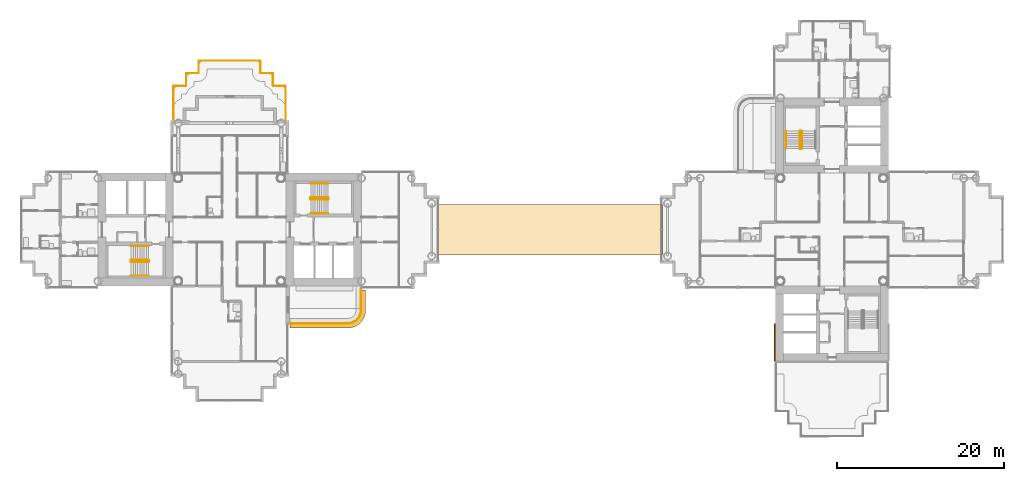
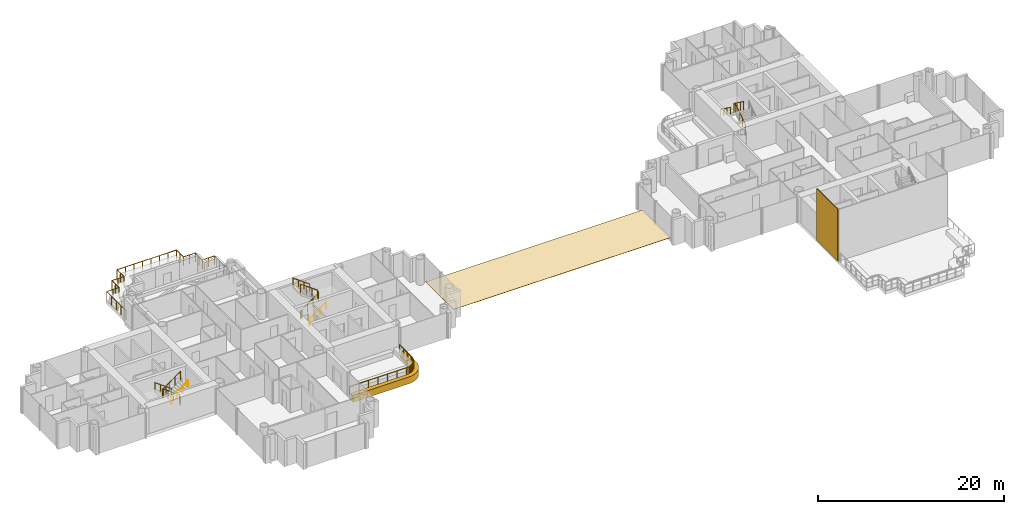
# One storey, part 20 of 22: 10 railings, 3 coverings.
"""IFC4 building model written with IfcOpenShell, lengths in metres."""

from ifc_helpers import new_model, si_unit, direction, frame, origin, origin_2d, place, context, subcontext, project, spatial, polyline, rectangle, circle, outline, extrude, material, layer, layer_set, type_object, element, save


model = new_model("IFC4")

# Units and contexts
model_context = context("Model", 3, precision=1e-05, world=origin(), true_north=direction((0.0, 1.0)))
body_context = subcontext(model_context, "Body", "Model", "MODEL_VIEW")
ifc_project = project(units=[si_unit("LENGTHUNIT", "METRE"), si_unit("AREAUNIT", "SQUARE_METRE"), si_unit("VOLUMEUNIT", "CUBIC_METRE"), si_unit("PLANEANGLEUNIT", "RADIAN"), si_unit("MASSUNIT", "GRAM", prefix="KILO")], contexts=[model_context])

# Site, building, storey
site_placement = place(None, origin())
site = spatial("IfcSite", under=ifc_project, at=site_placement, CompositionType="ELEMENT")
building_placement = place(site_placement, origin())
building = spatial("IfcBuilding", under=site, at=building_placement, Name="Ipe Terrace Towers", CompositionType="ELEMENT")
storey_placement = place(building_placement, frame((0.0, 0.0, 76.60009765625)))
storey = spatial("IfcBuildingStorey", under=building, at=storey_placement, Name="L20", CompositionType="ELEMENT", Elevation=76.60009765625)

# Railings
ifc_material_1 = material(Name="Stainless steel S316", Category="steel")
railing_type_1 = type_object("IfcRailingType", Name="GUARD 1100", PredefinedType="BALUSTRADE", material=ifc_material_1)
railing_1_placement = place(storey_placement, frame((-28.929931640625, -11.199951171875, -0.02001953125)))
element("IfcRailing", 1, at=railing_1_placement, inside=storey, type_object=railing_type_1, Name="guard", PredefinedType="BALUSTRADE", context=body_context, shape_type="SweptSolid", body=[
    extrude(circle(Radius=0.02392578125, at=origin_2d()), frame((0.0, 0.0, 1.076171875), z_axis=(1.0, 0.0, 0.0), x_axis=(0.0, 1.0, 0.0)), (0.0, 0.0, 1.0), 7.077880859375),
    extrude(circle(Radius=0.02392578125, at=origin_2d()), frame((7.077880859375, 0.0, 1.076171875), z_axis=(0.997996439513, 0.063270109204, 0.0), x_axis=(-0.063270109204, 0.997996439513, 0.0)), (0.0, 0.0, 1.0), 0.20458984375),
    extrude(circle(Radius=0.02392578125, at=origin_2d()), frame((7.281982421875, 0.012939453125, 1.076171875), z_axis=(0.980348670139, 0.197272615832, 0.0), x_axis=(-0.197272615832, 0.980348670139, 0.0)), (0.0, 0.0, 1.0), 0.202880859375),
    extrude(circle(Radius=0.02392578125, at=origin_2d()), frame((7.48095703125, 0.052978515625, 1.076171875), z_axis=(0.947227229435, 0.320562904618, 0.0), x_axis=(-0.320562904618, 0.947227229435, 0.0)), (0.0, 0.0, 1.0), 0.20263671875),
    extrude(circle(Radius=0.02392578125, at=origin_2d()), frame((7.6728515625, 0.117919921875, 1.076171875), z_axis=(0.896341374877, 0.443364567466, 0.0), x_axis=(-0.443364567466, 0.896341374877, 0.0)), (0.0, 0.0, 1.0), 0.203125),
    extrude(circle(Radius=0.02392578125, at=origin_2d()), frame((7.85498046875, 0.2080078125, 1.076171875), z_axis=(0.833344910936, 0.552753344103, 0.0), x_axis=(-0.552753344103, 0.833344910936, 0.0)), (0.0, 0.0, 1.0), 0.20263671875),
    extrude(circle(Radius=0.02392578125, at=origin_2d()), frame((8.02392578125, 0.320068359375, 1.076171875), z_axis=(0.750856952854, 0.660464863827, 0.0), x_axis=(-0.660464863827, 0.750856952854, 0.0)), (0.0, 0.0, 1.0), 0.20263671875),
    extrude(circle(Radius=0.02392578125, at=origin_2d()), frame((8.176025390625, 0.453857421875, 1.076171875), z_axis=(0.660464863827, 0.750856952854, 0.0), x_axis=(-0.750856952854, 0.660464863827, 0.0)), (0.0, 0.0, 1.0), 0.20263671875),
    extrude(circle(Radius=0.02392578125, at=origin_2d()), frame((8.309814453125, 0.60595703125, 1.076171875), z_axis=(0.552753344103, 0.833344910936, 0.0), x_axis=(-0.833344910936, 0.552753344103, 0.0)), (0.0, 0.0, 1.0), 0.20263671875),
    extrude(circle(Radius=0.02392578125, at=origin_2d()), frame((8.421875, 0.77490234375, 1.076171875), z_axis=(0.443364567466, 0.896341374877, 0.0), x_axis=(-0.896341374877, 0.443364567466, 0.0)), (0.0, 0.0, 1.0), 0.203125),
    extrude(circle(Radius=0.02392578125, at=origin_2d()), frame((8.511962890625, 0.95703125, 1.076171875), z_axis=(0.320562904618, 0.947227229435, 0.0), x_axis=(-0.947227229435, 0.320562904618, 0.0)), (0.0, 0.0, 1.0), 0.20263671875),
    extrude(circle(Radius=0.02392578125, at=origin_2d()), frame((8.576904296875, 1.14892578125, 1.076171875), z_axis=(0.197272615832, 0.980348670139, 0.0), x_axis=(-0.980348670139, 0.197272615832, 0.0)), (0.0, 0.0, 1.0), 0.202880859375),
    extrude(circle(Radius=0.02392578125, at=origin_2d()), frame((8.616943359375, 1.347900390625, 1.076171875), z_axis=(0.063270109204, 0.997996439513, 0.0), x_axis=(-0.997996439513, 0.063270109204, 0.0)), (0.0, 0.0, 1.0), 0.20458984375),
    extrude(circle(Radius=0.02392578125, at=origin_2d()), frame((8.6298828125, 1.552001953125, 1.076171875), z_axis=(0.0, 1.0, 0.0), x_axis=(-1.0, 0.0, 0.0)), (0.0, 0.0, 1.0), 2.577880859375),
    extrude(circle(Radius=0.02099609375, at=origin_2d()), origin(), (0.0, 0.0, 1.0), 1.052001953125),
    extrude(circle(Radius=0.02099609375, at=origin_2d()), frame((1.1796875, 0.0, 0.0)), (0.0, 0.0, 1.0), 1.052001953125),
    extrude(circle(Radius=0.02099609375, at=origin_2d()), frame((2.359375, 0.0, 0.0)), (0.0, 0.0, 1.0), 1.052001953125),
    extrude(circle(Radius=0.02099609375, at=origin_2d()), frame((3.5390625, 0.0, 0.0)), (0.0, 0.0, 1.0), 1.052001953125),
    extrude(circle(Radius=0.02099609375, at=origin_2d()), frame((4.718505859375, 0.0, 0.0)), (0.0, 0.0, 1.0), 1.052001953125),
    extrude(circle(Radius=0.02099609375, at=origin_2d()), frame((5.898193359375, 0.0, 0.0)), (0.0, 0.0, 1.0), 1.052001953125),
    extrude(circle(Radius=0.02099609375, at=origin_2d()), frame((7.077880859375, 0.0, 0.0)), (0.0, 0.0, 1.0), 1.052001953125),
    extrude(circle(Radius=0.02099609375, at=origin_2d()), frame((7.281982421875, 0.012939453125, 0.0)), (0.0, 0.0, 1.0), 1.052001953125),
    extrude(circle(Radius=0.02099609375, at=origin_2d()), frame((7.48095703125, 0.052978515625, 0.0)), (0.0, 0.0, 1.0), 1.052001953125),
    extrude(circle(Radius=0.02099609375, at=origin_2d()), frame((7.6728515625, 0.117919921875, 0.0)), (0.0, 0.0, 1.0), 1.052001953125),
    extrude(circle(Radius=0.02099609375, at=origin_2d()), frame((7.85498046875, 0.2080078125, 0.0)), (0.0, 0.0, 1.0), 1.052001953125),
    extrude(circle(Radius=0.02099609375, at=origin_2d()), frame((8.02392578125, 0.320068359375, 0.0)), (0.0, 0.0, 1.0), 1.052001953125),
    extrude(circle(Radius=0.02099609375, at=origin_2d()), frame((8.176025390625, 0.453857421875, 0.0)), (0.0, 0.0, 1.0), 1.052001953125),
    extrude(circle(Radius=0.02099609375, at=origin_2d()), frame((8.309814453125, 0.60595703125, 0.0)), (0.0, 0.0, 1.0), 1.052001953125),
    extrude(circle(Radius=0.02099609375, at=origin_2d()), frame((8.421875, 0.77490234375, 0.0)), (0.0, 0.0, 1.0), 1.052001953125),
    extrude(circle(Radius=0.02099609375, at=origin_2d()), frame((8.511962890625, 0.95703125, 0.0)), (0.0, 0.0, 1.0), 1.052001953125),
    extrude(circle(Radius=0.02099609375, at=origin_2d()), frame((8.576904296875, 1.14892578125, 0.0)), (0.0, 0.0, 1.0), 1.052001953125),
    extrude(circle(Radius=0.02099609375, at=origin_2d()), frame((8.616943359375, 1.347900390625, 0.0)), (0.0, 0.0, 1.0), 1.052001953125),
    extrude(circle(Radius=0.02099609375, at=origin_2d()), frame((8.6298828125, 1.552001953125, 0.0)), (0.0, 0.0, 1.0), 1.052001953125),
    extrude(circle(Radius=0.02099609375, at=origin_2d()), frame((8.6298828125, 2.411376953125, 0.0)), (0.0, 0.0, 1.0), 1.052001953125),
    extrude(circle(Radius=0.02099609375, at=origin_2d()), frame((8.6298828125, 3.2705078125, 0.0)), (0.0, 0.0, 1.0), 1.052001953125),
    extrude(circle(Radius=0.02099609375, at=origin_2d()), frame((8.6298828125, 4.1298828125, 0.0)), (0.0, 0.0, 1.0), 1.052001953125),
])
ifc_material_2 = material(Name="Stainless steel S316", Category="steel")
railing_type_2 = type_object("IfcRailingType", Name="ROOF GUARD 1200", PredefinedType="BALUSTRADE", material=ifc_material_2)
railing_2_placement = place(storey_placement, frame((-29.300048828125, 13.070068359375, -0.02001953125)))
element("IfcRailing", 2, at=railing_2_placement, inside=storey, type_object=railing_type_2, Name="roof guard", PredefinedType="BALUSTRADE", context=body_context, shape_type="SweptSolid", body=[
    extrude(circle(Radius=0.02392578125, at=origin_2d()), frame((0.0, 0.0, 1.17578125), z_axis=(0.0, 1.0, 0.0), x_axis=(-1.0, 0.0, 0.0)), (0.0, 0.0, 1.0), 4.1298828125),
    extrude(circle(Radius=0.02392578125, at=origin_2d()), frame((0.0, 4.1298828125, 1.17578125), z_axis=(-1.0, 0.0, 0.0), x_axis=(0.0, -1.0, 0.0)), (0.0, 0.0, 1.0), 1.5),
    extrude(circle(Radius=0.02392578125, at=origin_2d()), frame((-1.5, 4.1298828125, 1.17578125), z_axis=(0.0, 1.0, 0.0), x_axis=(-1.0, 0.0, 0.0)), (0.0, 0.0, 1.0), 1.5),
    extrude(circle(Radius=0.02392578125, at=origin_2d()), frame((-1.5, 5.6298828125, 1.17578125), z_axis=(-1.0, 0.0, 0.0), x_axis=(0.0, -1.0, 0.0)), (0.0, 0.0, 1.0), 1.5),
    extrude(circle(Radius=0.02392578125, at=origin_2d()), frame((-3.0, 5.6298828125, 1.17578125), z_axis=(0.0, 1.0, 0.0), x_axis=(-1.0, 0.0, 0.0)), (0.0, 0.0, 1.0), 1.5),
    extrude(circle(Radius=0.02392578125, at=origin_2d()), frame((-3.0, 7.1298828125, 1.17578125), z_axis=(-1.0, 0.0, 0.0), x_axis=(0.0, -1.0, 0.0)), (0.0, 0.0, 1.0), 7.39990234375),
    extrude(circle(Radius=0.02392578125, at=origin_2d()), frame((-10.39990234375, 7.1298828125, 1.17578125), z_axis=(0.0, -1.0, 0.0), x_axis=(1.0, 0.0, 0.0)), (0.0, 0.0, 1.0), 1.5),
    extrude(circle(Radius=0.02392578125, at=origin_2d()), frame((-10.39990234375, 5.6298828125, 1.17578125), z_axis=(-1.0, 0.0, 0.0), x_axis=(0.0, -1.0, 0.0)), (0.0, 0.0, 1.0), 1.5),
    extrude(circle(Radius=0.02392578125, at=origin_2d()), frame((-11.89990234375, 5.6298828125, 1.17578125), z_axis=(0.0, -1.0, 0.0), x_axis=(1.0, 0.0, 0.0)), (0.0, 0.0, 1.0), 1.5),
    extrude(circle(Radius=0.02392578125, at=origin_2d()), frame((-11.89990234375, 4.1298828125, 1.17578125), z_axis=(-1.0, 0.0, 0.0), x_axis=(0.0, -1.0, 0.0)), (0.0, 0.0, 1.0), 1.5),
    extrude(circle(Radius=0.02392578125, at=origin_2d()), frame((-13.39990234375, 4.1298828125, 1.17578125), z_axis=(0.0, -1.0, 0.0), x_axis=(1.0, 0.0, 0.0)), (0.0, 0.0, 1.0), 4.1298828125),
    extrude(circle(Radius=0.02099609375, at=origin_2d()), origin(), (0.0, 0.0, 1.0), 1.15185546875),
    extrude(circle(Radius=0.02099609375, at=origin_2d()), frame((0.0, 1.032470703125, 0.0)), (0.0, 0.0, 1.0), 1.15185546875),
    extrude(circle(Radius=0.02099609375, at=origin_2d()), frame((0.0, 2.06494140625, 0.0)), (0.0, 0.0, 1.0), 1.15185546875),
    extrude(circle(Radius=0.02099609375, at=origin_2d()), frame((0.0, 3.097412109375, 0.0)), (0.0, 0.0, 1.0), 1.15185546875),
    extrude(circle(Radius=0.02099609375, at=origin_2d()), frame((0.0, 4.1298828125, 0.0)), (0.0, 0.0, 1.0), 1.15185546875),
    extrude(circle(Radius=0.02099609375, at=origin_2d()), frame((-0.75, 4.1298828125, 0.0)), (0.0, 0.0, 1.0), 1.15185546875),
    extrude(circle(Radius=0.02099609375, at=origin_2d()), frame((-1.5, 4.1298828125, 0.0)), (0.0, 0.0, 1.0), 1.15185546875),
    extrude(circle(Radius=0.02099609375, at=origin_2d()), frame((-1.5, 4.8798828125, 0.0)), (0.0, 0.0, 1.0), 1.15185546875),
    extrude(circle(Radius=0.02099609375, at=origin_2d()), frame((-1.5, 5.6298828125, 0.0)), (0.0, 0.0, 1.0), 1.15185546875),
    extrude(circle(Radius=0.02099609375, at=origin_2d()), frame((-2.25, 5.6298828125, 0.0)), (0.0, 0.0, 1.0), 1.15185546875),
    extrude(circle(Radius=0.02099609375, at=origin_2d()), frame((-3.0, 5.6298828125, 0.0)), (0.0, 0.0, 1.0), 1.15185546875),
    extrude(circle(Radius=0.02099609375, at=origin_2d()), frame((-3.0, 6.3798828125, 0.0)), (0.0, 0.0, 1.0), 1.15185546875),
    extrude(circle(Radius=0.02099609375, at=origin_2d()), frame((-3.0, 7.1298828125, 0.0)), (0.0, 0.0, 1.0), 1.15185546875),
    extrude(circle(Radius=0.02099609375, at=origin_2d()), frame((-4.05712890625, 7.1298828125, 0.0)), (0.0, 0.0, 1.0), 1.15185546875),
    extrude(circle(Radius=0.02099609375, at=origin_2d()), frame((-5.1142578125, 7.1298828125, 0.0)), (0.0, 0.0, 1.0), 1.15185546875),
    extrude(circle(Radius=0.02099609375, at=origin_2d()), frame((-6.17138671875, 7.1298828125, 0.0)), (0.0, 0.0, 1.0), 1.15185546875),
    extrude(circle(Radius=0.02099609375, at=origin_2d()), frame((-7.228515625, 7.1298828125, 0.0)), (0.0, 0.0, 1.0), 1.15185546875),
    extrude(circle(Radius=0.02099609375, at=origin_2d()), frame((-8.28564453125, 7.1298828125, 0.0)), (0.0, 0.0, 1.0), 1.15185546875),
    extrude(circle(Radius=0.02099609375, at=origin_2d()), frame((-9.3427734375, 7.1298828125, 0.0)), (0.0, 0.0, 1.0), 1.15185546875),
    extrude(circle(Radius=0.02099609375, at=origin_2d()), frame((-10.39990234375, 7.1298828125, 0.0)), (0.0, 0.0, 1.0), 1.15185546875),
    extrude(circle(Radius=0.02099609375, at=origin_2d()), frame((-10.39990234375, 6.3798828125, 0.0)), (0.0, 0.0, 1.0), 1.15185546875),
    extrude(circle(Radius=0.02099609375, at=origin_2d()), frame((-10.39990234375, 5.6298828125, 0.0)), (0.0, 0.0, 1.0), 1.15185546875),
    extrude(circle(Radius=0.02099609375, at=origin_2d()), frame((-11.14990234375, 5.6298828125, 0.0)), (0.0, 0.0, 1.0), 1.15185546875),
    extrude(circle(Radius=0.02099609375, at=origin_2d()), frame((-11.89990234375, 5.6298828125, 0.0)), (0.0, 0.0, 1.0), 1.15185546875),
    extrude(circle(Radius=0.02099609375, at=origin_2d()), frame((-11.89990234375, 4.8798828125, 0.0)), (0.0, 0.0, 1.0), 1.15185546875),
    extrude(circle(Radius=0.02099609375, at=origin_2d()), frame((-11.89990234375, 4.1298828125, 0.0)), (0.0, 0.0, 1.0), 1.15185546875),
    extrude(circle(Radius=0.02099609375, at=origin_2d()), frame((-12.64990234375, 4.1298828125, 0.0)), (0.0, 0.0, 1.0), 1.15185546875),
    extrude(circle(Radius=0.02099609375, at=origin_2d()), frame((-13.39990234375, 4.1298828125, 0.0)), (0.0, 0.0, 1.0), 1.15185546875),
    extrude(circle(Radius=0.02099609375, at=origin_2d()), frame((-13.39990234375, 3.097412109375, 0.0)), (0.0, 0.0, 1.0), 1.15185546875),
    extrude(circle(Radius=0.02099609375, at=origin_2d()), frame((-13.39990234375, 2.06494140625, 0.0)), (0.0, 0.0, 1.0), 1.15185546875),
    extrude(circle(Radius=0.02099609375, at=origin_2d()), frame((-13.39990234375, 1.032470703125, 0.0)), (0.0, 0.0, 1.0), 1.15185546875),
    extrude(circle(Radius=0.02099609375, at=origin_2d()), frame((-13.39990234375, 0.0, 0.0)), (0.0, 0.0, 1.0), 1.15185546875),
])

# Coverings
ifc_material_3 = material(Name="Bitumen membrane roofing")
ifc_layer_1 = layer(ifc_material_3, 0.0400390625)
ifc_layer_set_1 = layer_set([ifc_layer_1], Name="ROOFING MEMBRANE 40")
covering_type_1 = type_object("IfcCoveringType", Name="ROOFING MEMBRANE 40", PredefinedType="ROOFING", material=ifc_layer_set_1)
covering_1_placement = place(storey_placement, origin())
element("IfcCovering", 3, at=covering_1_placement, inside=storey, type_object=covering_type_1, Name="BR1 roofing", PredefinedType="ROOFING", context=body_context, shape_type="SweptSolid", body=[
    extrude(outline(polyline([(-11.25, -3.0), (15.75, -3.0), (15.75, 3.0), (-11.25, 3.0), (-11.25, -3.0)])), origin(), (0.0, 0.0, 1.0), 0.039794921875),
])
ifc_material_4 = material(Name="Concrete C50/60 precast, buff finish", Category="concrete")
ifc_layer_2 = layer(ifc_material_4, 0.1201171875)
ifc_layer_set_2 = layer_set([ifc_layer_2], Name="STONE CORE CLADDING 120")
covering_type_2 = type_object("IfcCoveringType", Name="STONE CORE CLADDING 120", PredefinedType="CLADDING", material=ifc_layer_set_2)
covering_2_placement = place(storey_placement, frame((29.18994140625, -13.5, 0.0), z_axis=(0.0, 0.0, 1.0), x_axis=(0.0, -1.0, 0.0)))
element("IfcCovering", 4, at=covering_2_placement, inside=storey, type_object=covering_type_2, Name="stone core cladding", PredefinedType="CLADDING", context=body_context, shape_type="SweptSolid", body=[
    extrude(rectangle(XDim=4.5, YDim=0.1201171875, at=origin_2d()), origin(), (0.0, 0.0, 1.0), 6.800048828125),
])
ifc_material_5 = material(Name="Concrete C50/60 precast, buff finish", Category="concrete")
ifc_layer_3 = layer(ifc_material_5, 0.5)
ifc_layer_set_3 = layer_set([ifc_layer_3], Name="STONE EDGE BAND 500 x 900")
covering_type_3 = type_object("IfcCoveringType", Name="STONE EDGE BAND 500 x 900", PredefinedType="CLADDING", material=ifc_layer_set_3)
covering_3_placement = place(storey_placement, frame((0.0, 0.0, -0.72021484375)))
element("IfcCovering", 5, at=covering_3_placement, inside=storey, type_object=covering_type_3, Name="stone edge band", PredefinedType="CLADDING", context=body_context, shape_type="SweptSolid", body=[
    extrude(outline(polyline([(-21.85009765625, -11.75), (-21.81689453125, -11.7490234375), (-21.60791015625, -11.735107421875), (-21.5439453125, -11.72705078125), (-21.337890625, -11.68603515625), (-21.27490234375, -11.6689453125), (-21.076904296875, -11.60205078125), (-21.01708984375, -11.576904296875), (-20.8291015625, -11.48388671875), (-20.77197265625, -11.450927734375), (-20.597900390625, -11.3349609375), (-20.5458984375, -11.294921875), (-20.388916015625, -11.156982421875), (-20.343017578125, -11.111083984375), (-20.205078125, -10.9541015625), (-20.1650390625, -10.902099609375), (-20.049072265625, -10.72802734375), (-20.01611328125, -10.6708984375), (-19.923095703125, -10.48291015625), (-19.89794921875, -10.423095703125), (-19.8310546875, -10.22509765625), (-19.81396484375, -10.162109375), (-19.77294921875, -9.9560546875), (-19.764892578125, -9.89208984375), (-19.7509765625, -9.68310546875), (-19.75, -9.64990234375), (-19.75, -7.199951171875), (-20.25, -7.199951171875), (-20.25, -9.64990234375), (-20.263916015625, -9.85888671875), (-20.304931640625, -10.06396484375), (-20.3720703125, -10.261962890625), (-20.464111328125, -10.449951171875), (-20.5810546875, -10.6240234375), (-20.718994140625, -10.781005859375), (-20.8759765625, -10.9189453125), (-21.050048828125, -11.035888671875), (-21.238037109375, -11.1279296875), (-21.43603515625, -11.195068359375), (-21.64111328125, -11.236083984375), (-21.85009765625, -11.25), (-28.800048828125, -11.25), (-28.800048828125, -11.75), (-21.85009765625, -11.75)])), origin(), (0.0, 0.0, 1.0), 0.900146484375),
])

# Railings
ifc_material_6 = material(Name="Steel S355", Category="steel")
railing_type_3 = type_object("IfcRailingType", Name="Stair guard 1100", PredefinedType="GUARDRAIL", material=ifc_material_6)
railing_3_placement = place(storey_placement, frame((-26.35009765625, 3.800048828125, 0.0)))
element("IfcRailing", 6, at=railing_3_placement, inside=storey, type_object=railing_type_3, Name="L20 T1-ST1 stair guard 1", PredefinedType="GUARDRAIL", context=body_context, shape_type="SweptSolid", body=[
    extrude(circle(Radius=0.02392578125, at=origin_2d()), frame((0.0, 0.0, 1.076171875), z_axis=(0.0, -1.0, 0.0), x_axis=(1.0, 0.0, 0.0)), (0.0, 0.0, 1.0), 0.150146484375),
    extrude(circle(Radius=0.02392578125, at=origin_2d()), frame((0.0, -0.150146484375, 1.076171875), z_axis=(0.248385422981, -0.247173786771, 0.936594790069), x_axis=(0.705375805398, 0.708833529934, 0.0)), (0.0, 0.0, 1.0), 0.201416015625),
    extrude(circle(Radius=0.02392578125, at=origin_2d()), frame((0.050048828125, -0.199951171875, 1.2646484375), z_axis=(0.809023421508, 0.0, 0.587776406001), x_axis=(0.0, 1.0, 0.0)), (0.0, 0.0, 1.0), 2.571044921875),
    extrude(circle(Radius=0.02392578125, at=origin_2d()), frame((2.130126953125, -0.199951171875, 2.77587890625), z_axis=(0.708833529934, 0.705375805398, 0.0), x_axis=(-0.705375805398, 0.708833529934, 0.0)), (0.0, 0.0, 1.0), 0.070556640625),
    extrude(circle(Radius=0.02392578125, at=origin_2d()), frame((2.18017578125, -0.150146484375, 2.77587890625), z_axis=(0.0, 1.0, 0.0), x_axis=(-1.0, 0.0, 0.0)), (0.0, 0.0, 1.0), 0.150146484375),
    extrude(circle(Radius=0.02392578125, at=origin_2d()), frame((2.18017578125, 0.0, 2.77587890625), z_axis=(-0.248310886586, 0.248310886586, 0.936313733321), x_axis=(-0.707106781187, -0.707106781187, 0.0)), (0.0, 0.0, 1.0), 0.20166015625),
    extrude(circle(Radius=0.02392578125, at=origin_2d()), frame((2.130126953125, 0.050048828125, 2.96484375), z_axis=(-0.809023421508, 0.0, 0.587776406001), x_axis=(0.0, -1.0, 0.0)), (0.0, 0.0, 1.0), 2.571044921875),
    extrude(circle(Radius=0.02099609375, at=origin_2d()), origin(), (0.0, 0.0, 1.0), 1.052001953125),
    extrude(circle(Radius=0.02099609375, at=origin_2d()), frame((0.0, -0.150146484375, 0.0)), (0.0, 0.0, 1.0), 1.052001953125),
    extrude(circle(Radius=0.02099609375, at=origin_2d()), frame((0.050048828125, -0.199951171875, 0.188720703125)), (0.0, 0.0, 1.0), 1.052001953125),
    extrude(circle(Radius=0.02099609375, at=origin_2d()), frame((0.743408203125, -0.199951171875, 0.6923828125)), (0.0, 0.0, 1.0), 1.052001953125),
    extrude(circle(Radius=0.02099609375, at=origin_2d()), frame((1.436767578125, -0.199951171875, 1.1962890625)), (0.0, 0.0, 1.0), 1.052001953125),
    extrude(circle(Radius=0.02099609375, at=origin_2d()), frame((2.130126953125, -0.199951171875, 1.699951171875)), (0.0, 0.0, 1.0), 1.052001953125),
    extrude(circle(Radius=0.02099609375, at=origin_2d()), frame((2.18017578125, -0.150146484375, 1.699951171875)), (0.0, 0.0, 1.0), 1.052001953125),
    extrude(circle(Radius=0.02099609375, at=origin_2d()), frame((2.18017578125, 0.0, 1.699951171875)), (0.0, 0.0, 1.0), 1.052001953125),
    extrude(circle(Radius=0.02099609375, at=origin_2d()), frame((2.130126953125, 0.050048828125, 1.888671875)), (0.0, 0.0, 1.0), 1.052001953125),
    extrude(circle(Radius=0.02099609375, at=origin_2d()), frame((1.436767578125, 0.050048828125, 2.392333984375)), (0.0, 0.0, 1.0), 1.052001953125),
    extrude(circle(Radius=0.02099609375, at=origin_2d()), frame((0.743408203125, 0.050048828125, 2.896240234375)), (0.0, 0.0, 1.0), 1.052001953125),
    extrude(circle(Radius=0.02099609375, at=origin_2d()), frame((0.050048828125, 0.050048828125, 3.39990234375)), (0.0, 0.0, 1.0), 1.052001953125),
])
railing_4_placement = place(storey_placement, frame((-45.64990234375, -3.800048828125, 0.0)))
element("IfcRailing", 7, at=railing_4_placement, inside=storey, type_object=railing_type_3, Name="L20 T1-ST2 stair guard 1", PredefinedType="GUARDRAIL", context=body_context, shape_type="SweptSolid", body=[
    extrude(circle(Radius=0.02392578125, at=origin_2d()), frame((0.0, 0.0, 1.076171875), z_axis=(0.0, 1.0, 0.0), x_axis=(-1.0, 0.0, 0.0)), (0.0, 0.0, 1.0), 0.150146484375),
    extrude(circle(Radius=0.02392578125, at=origin_2d()), frame((0.0, 0.150146484375, 1.076171875), z_axis=(-0.248385422981, 0.247173786771, 0.936594790069), x_axis=(-0.705375805398, -0.708833529934, 0.0)), (0.0, 0.0, 1.0), 0.201416015625),
    extrude(circle(Radius=0.02392578125, at=origin_2d()), frame((-0.050048828125, 0.199951171875, 1.2646484375), z_axis=(-0.809023421508, 0.0, 0.587776406001), x_axis=(0.0, -1.0, 0.0)), (0.0, 0.0, 1.0), 2.571044921875),
    extrude(circle(Radius=0.02392578125, at=origin_2d()), frame((-2.130126953125, 0.199951171875, 2.77587890625), z_axis=(-0.708833529934, -0.705375805398, 0.0), x_axis=(0.705375805398, -0.708833529934, 0.0)), (0.0, 0.0, 1.0), 0.070556640625),
    extrude(circle(Radius=0.02392578125, at=origin_2d()), frame((-2.18017578125, 0.150146484375, 2.77587890625), z_axis=(0.0, -1.0, 0.0), x_axis=(1.0, 0.0, 0.0)), (0.0, 0.0, 1.0), 0.150146484375),
    extrude(circle(Radius=0.02392578125, at=origin_2d()), frame((-2.18017578125, 0.0, 2.77587890625), z_axis=(0.248310886586, -0.248310886586, 0.936313733321), x_axis=(0.707106781187, 0.707106781187, 0.0)), (0.0, 0.0, 1.0), 0.20166015625),
    extrude(circle(Radius=0.02392578125, at=origin_2d()), frame((-2.130126953125, -0.050048828125, 2.96484375), z_axis=(0.809023421508, 0.0, 0.587776406001), x_axis=(0.0, 1.0, 0.0)), (0.0, 0.0, 1.0), 2.571044921875),
    extrude(circle(Radius=0.02099609375, at=origin_2d()), origin(), (0.0, 0.0, 1.0), 1.052001953125),
    extrude(circle(Radius=0.02099609375, at=origin_2d()), frame((0.0, 0.150146484375, 0.0)), (0.0, 0.0, 1.0), 1.052001953125),
    extrude(circle(Radius=0.02099609375, at=origin_2d()), frame((-0.050048828125, 0.199951171875, 0.188720703125)), (0.0, 0.0, 1.0), 1.052001953125),
    extrude(circle(Radius=0.02099609375, at=origin_2d()), frame((-0.743408203125, 0.199951171875, 0.6923828125)), (0.0, 0.0, 1.0), 1.052001953125),
    extrude(circle(Radius=0.02099609375, at=origin_2d()), frame((-1.436767578125, 0.199951171875, 1.1962890625)), (0.0, 0.0, 1.0), 1.052001953125),
    extrude(circle(Radius=0.02099609375, at=origin_2d()), frame((-2.130126953125, 0.199951171875, 1.699951171875)), (0.0, 0.0, 1.0), 1.052001953125),
    extrude(circle(Radius=0.02099609375, at=origin_2d()), frame((-2.18017578125, 0.150146484375, 1.699951171875)), (0.0, 0.0, 1.0), 1.052001953125),
    extrude(circle(Radius=0.02099609375, at=origin_2d()), frame((-2.18017578125, 0.0, 1.699951171875)), (0.0, 0.0, 1.0), 1.052001953125),
    extrude(circle(Radius=0.02099609375, at=origin_2d()), frame((-2.130126953125, -0.050048828125, 1.888671875)), (0.0, 0.0, 1.0), 1.052001953125),
    extrude(circle(Radius=0.02099609375, at=origin_2d()), frame((-1.436767578125, -0.050048828125, 2.392333984375)), (0.0, 0.0, 1.0), 1.052001953125),
    extrude(circle(Radius=0.02099609375, at=origin_2d()), frame((-0.743408203125, -0.050048828125, 2.896240234375)), (0.0, 0.0, 1.0), 1.052001953125),
    extrude(circle(Radius=0.02099609375, at=origin_2d()), frame((-0.050048828125, -0.050048828125, 3.39990234375)), (0.0, 0.0, 1.0), 1.052001953125),
])
railing_5_placement = place(storey_placement, frame((32.199951171875, 9.64990234375, 0.0)))
element("IfcRailing", 8, at=railing_5_placement, inside=storey, type_object=railing_type_3, Name="L20 T2-ST1 stair guard 1", PredefinedType="GUARDRAIL", context=body_context, shape_type="SweptSolid", body=[
    extrude(circle(Radius=0.02392578125, at=origin_2d()), frame((0.0, 0.0, 1.076171875), z_axis=(1.0, 0.0, 0.0), x_axis=(0.0, 1.0, 0.0)), (0.0, 0.0, 1.0), 0.150146484375),
    extrude(circle(Radius=0.02392578125, at=origin_2d()), frame((0.150146484375, 0.0, 1.076171875), z_axis=(0.247173786771, 0.248385422981, 0.936594790069), x_axis=(-0.708833529934, 0.705375805398, 0.0)), (0.0, 0.0, 1.0), 0.201416015625),
    extrude(circle(Radius=0.02392578125, at=origin_2d()), frame((0.199951171875, 0.050048828125, 1.2646484375), z_axis=(0.0, 0.809023421508, 0.587776406001), x_axis=(-1.0, 0.0, 0.0)), (0.0, 0.0, 1.0), 2.571044921875),
    extrude(circle(Radius=0.02392578125, at=origin_2d()), frame((0.199951171875, 2.130126953125, 2.77587890625), z_axis=(-0.705375805398, 0.708833529934, 0.0), x_axis=(-0.708833529934, -0.705375805398, 0.0)), (0.0, 0.0, 1.0), 0.070556640625),
    extrude(circle(Radius=0.02392578125, at=origin_2d()), frame((0.150146484375, 2.18017578125, 2.77587890625), z_axis=(-1.0, 0.0, 0.0), x_axis=(0.0, -1.0, 0.0)), (0.0, 0.0, 1.0), 0.150146484375),
    extrude(circle(Radius=0.02392578125, at=origin_2d()), frame((0.0, 2.18017578125, 2.77587890625), z_axis=(-0.248310886586, -0.248310886586, 0.936313733321), x_axis=(0.707106781187, -0.707106781187, 0.0)), (0.0, 0.0, 1.0), 0.20166015625),
    extrude(circle(Radius=0.02392578125, at=origin_2d()), frame((-0.050048828125, 2.130126953125, 2.96484375), z_axis=(0.0, -0.809023421508, 0.587776406001), x_axis=(1.0, 0.0, 0.0)), (0.0, 0.0, 1.0), 2.571044921875),
    extrude(circle(Radius=0.02099609375, at=origin_2d()), origin(), (0.0, 0.0, 1.0), 1.052001953125),
    extrude(circle(Radius=0.02099609375, at=origin_2d()), frame((0.150146484375, 0.0, 0.0)), (0.0, 0.0, 1.0), 1.052001953125),
    extrude(circle(Radius=0.02099609375, at=origin_2d()), frame((0.199951171875, 0.050048828125, 0.188720703125)), (0.0, 0.0, 1.0), 1.052001953125),
    extrude(circle(Radius=0.02099609375, at=origin_2d()), frame((0.199951171875, 0.743408203125, 0.6923828125)), (0.0, 0.0, 1.0), 1.052001953125),
    extrude(circle(Radius=0.02099609375, at=origin_2d()), frame((0.199951171875, 1.436767578125, 1.1962890625)), (0.0, 0.0, 1.0), 1.052001953125),
    extrude(circle(Radius=0.02099609375, at=origin_2d()), frame((0.199951171875, 2.130126953125, 1.699951171875)), (0.0, 0.0, 1.0), 1.052001953125),
    extrude(circle(Radius=0.02099609375, at=origin_2d()), frame((0.150146484375, 2.18017578125, 1.699951171875)), (0.0, 0.0, 1.0), 1.052001953125),
    extrude(circle(Radius=0.02099609375, at=origin_2d()), frame((0.0, 2.18017578125, 1.699951171875)), (0.0, 0.0, 1.0), 1.052001953125),
    extrude(circle(Radius=0.02099609375, at=origin_2d()), frame((-0.050048828125, 2.130126953125, 1.888671875)), (0.0, 0.0, 1.0), 1.052001953125),
    extrude(circle(Radius=0.02099609375, at=origin_2d()), frame((-0.050048828125, 1.436767578125, 2.392333984375)), (0.0, 0.0, 1.0), 1.052001953125),
    extrude(circle(Radius=0.02099609375, at=origin_2d()), frame((-0.050048828125, 0.743408203125, 2.896240234375)), (0.0, 0.0, 1.0), 1.052001953125),
    extrude(circle(Radius=0.02099609375, at=origin_2d()), frame((-0.050048828125, 0.050048828125, 3.39990234375)), (0.0, 0.0, 1.0), 1.052001953125),
])
ifc_material_7 = material(Name="Stainless steel grade 304", Category="steel")
railing_type_4 = type_object("IfcRailingType", Name="Stair handrail 900", PredefinedType="HANDRAIL", material=ifc_material_7)
railing_6_placement = place(storey_placement, frame((-26.300048828125, 1.949951171875, 0.188720703125)))
element("IfcRailing", 9, at=railing_6_placement, inside=storey, type_object=railing_type_4, Name="L20 T1-ST1 stair handrail 1", PredefinedType="HANDRAIL", context=body_context, shape_type="SweptSolid", body=[
    extrude(circle(Radius=0.02392578125, at=origin_2d()), frame((0.0, 0.0, 0.8759765625), z_axis=(0.809023421508, 0.0, 0.587776406001), x_axis=(0.0, 1.0, 0.0)), (0.0, 0.0, 1.0), 2.571044921875),
    extrude(circle(Radius=0.02099609375, at=origin_2d()), origin(), (0.0, 0.0, 1.0), 0.851806640625),
    extrude(circle(Radius=0.02099609375, at=origin_2d()), frame((0.693359375, 0.0, 0.503662109375)), (0.0, 0.0, 1.0), 0.851806640625),
    extrude(circle(Radius=0.02099609375, at=origin_2d()), frame((1.38671875, 0.0, 1.007568359375)), (0.0, 0.0, 1.0), 0.851806640625),
    extrude(circle(Radius=0.02099609375, at=origin_2d()), frame((2.080078125, 0.0, 1.51123046875)), (0.0, 0.0, 1.0), 0.851806640625),
])
for number, where, name in (
    (10, (-24.219970703125, 5.5, 1.888671875), "L20 T1-ST1 stair handrail 2"),
    (11, (-45.699951171875, -1.949951171875, 0.188720703125), "L20 T1-ST2 stair handrail 1"),
):
    element("IfcRailing", number, at=place(storey_placement, frame(where)), inside=storey, type_object=railing_type_4, Name=name, PredefinedType="HANDRAIL", context=body_context, shape_type="SweptSolid", body=[
        extrude(circle(Radius=0.02392578125, at=origin_2d()), frame((0.0, 0.0, 0.8759765625), z_axis=(-0.809023421508, 0.0, 0.587776406001), x_axis=(0.0, -1.0, 0.0)), (0.0, 0.0, 1.0), 2.571044921875),
        extrude(circle(Radius=0.02099609375, at=origin_2d()), origin(), (0.0, 0.0, 1.0), 0.851806640625),
        extrude(circle(Radius=0.02099609375, at=origin_2d()), frame((-0.693359375, 0.0, 0.503662109375)), (0.0, 0.0, 1.0), 0.851806640625),
        extrude(circle(Radius=0.02099609375, at=origin_2d()), frame((-1.38671875, 0.0, 1.007568359375)), (0.0, 0.0, 1.0), 0.851806640625),
        extrude(circle(Radius=0.02099609375, at=origin_2d()), frame((-2.080078125, 0.0, 1.51123046875)), (0.0, 0.0, 1.0), 0.851806640625),
    ])
railing_7_placement = place(storey_placement, frame((-47.780029296875, -5.5, 1.888671875)))
element("IfcRailing", 12, at=railing_7_placement, inside=storey, type_object=railing_type_4, Name="L20 T1-ST2 stair handrail 2", PredefinedType="HANDRAIL", context=body_context, shape_type="SweptSolid", body=[
    extrude(circle(Radius=0.02392578125, at=origin_2d()), frame((0.0, 0.0, 0.8759765625), z_axis=(0.809023421508, 0.0, 0.587776406001), x_axis=(0.0, 1.0, 0.0)), (0.0, 0.0, 1.0), 2.571044921875),
    extrude(circle(Radius=0.02099609375, at=origin_2d()), origin(), (0.0, 0.0, 1.0), 0.851806640625),
    extrude(circle(Radius=0.02099609375, at=origin_2d()), frame((0.693359375, 0.0, 0.503662109375)), (0.0, 0.0, 1.0), 0.851806640625),
    extrude(circle(Radius=0.02099609375, at=origin_2d()), frame((1.38671875, 0.0, 1.007568359375)), (0.0, 0.0, 1.0), 0.851806640625),
    extrude(circle(Radius=0.02099609375, at=origin_2d()), frame((2.080078125, 0.0, 1.51123046875)), (0.0, 0.0, 1.0), 0.851806640625),
])
railing_8_placement = place(storey_placement, frame((30.5, 11.780029296875, 1.888671875)))
element("IfcRailing", 13, at=railing_8_placement, inside=storey, type_object=railing_type_4, Name="L20 T2-ST1 stair handrail 2", PredefinedType="HANDRAIL", context=body_context, shape_type="SweptSolid", body=[
    extrude(circle(Radius=0.02392578125, at=origin_2d()), frame((0.0, 0.0, 0.8759765625), z_axis=(0.0, -0.809023421508, 0.587776406001), x_axis=(1.0, 0.0, 0.0)), (0.0, 0.0, 1.0), 2.571044921875),
    extrude(circle(Radius=0.02099609375, at=origin_2d()), origin(), (0.0, 0.0, 1.0), 0.851806640625),
    extrude(circle(Radius=0.02099609375, at=origin_2d()), frame((0.0, -0.693359375, 0.503662109375)), (0.0, 0.0, 1.0), 0.851806640625),
    extrude(circle(Radius=0.02099609375, at=origin_2d()), frame((0.0, -1.38671875, 1.007568359375)), (0.0, 0.0, 1.0), 0.851806640625),
    extrude(circle(Radius=0.02099609375, at=origin_2d()), frame((0.0, -2.080078125, 1.51123046875)), (0.0, 0.0, 1.0), 0.851806640625),
])

save(model, "model.ifc")
